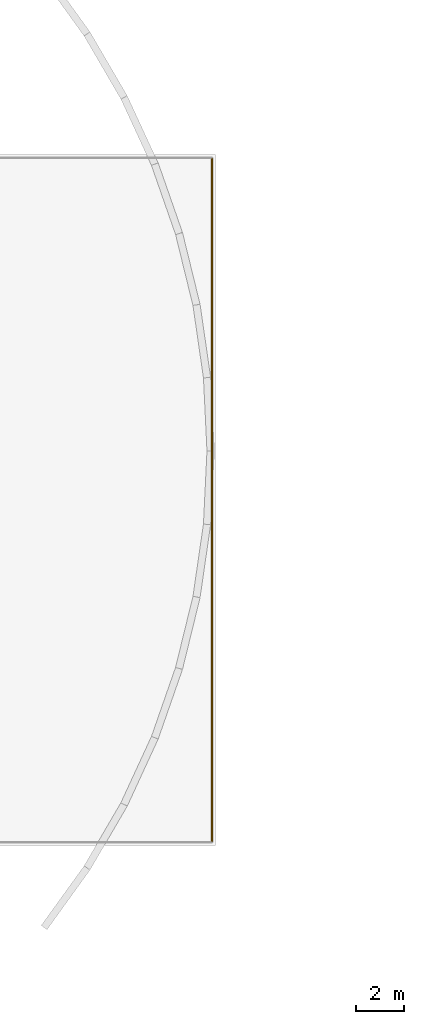
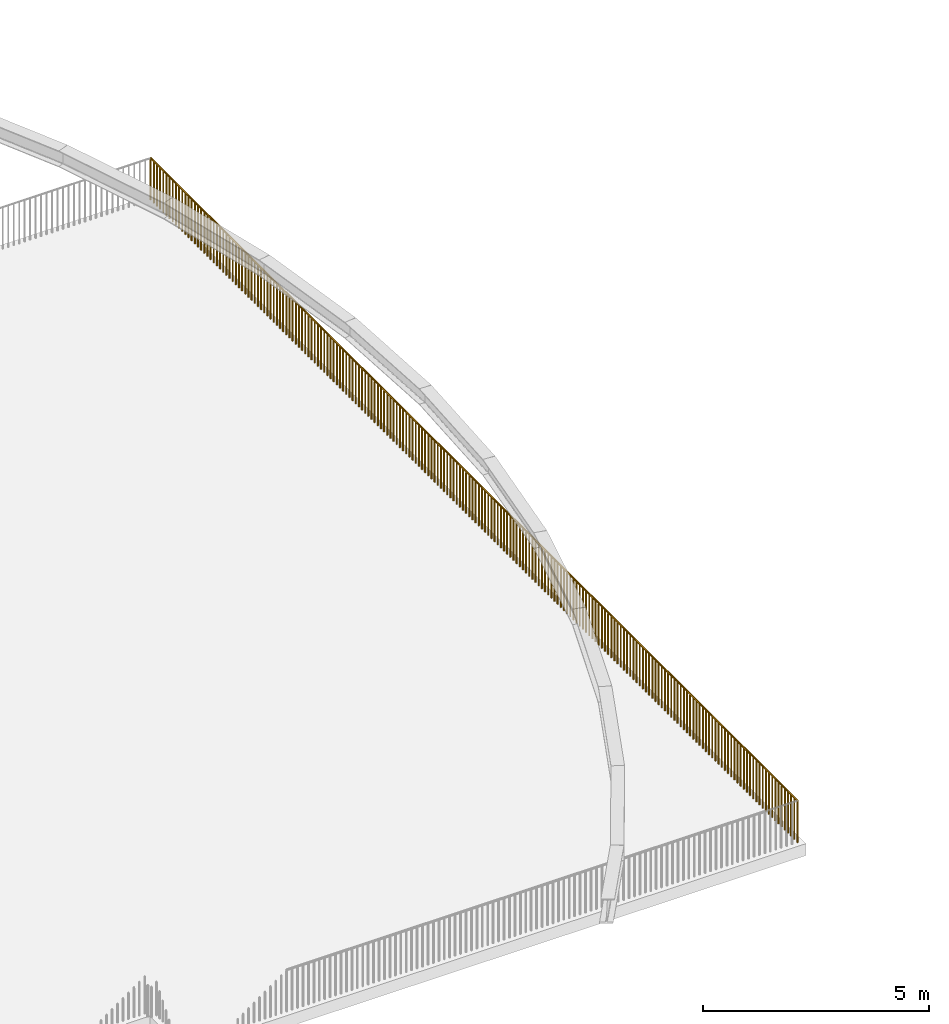
# One storey, part 91 of 92: 1 railing.
"""IFC4 building model written with IfcOpenShell, lengths in metres."""

import ifcopenshell
import ifcopenshell.guid

model = None  # the IFC model being written
_history = None  # IfcOwnerHistory: only IFC2X3 demands one
_inside = {}  # id of a spatial element -> (the spatial element, [elements in it])
_under = {}  # id of a project, library or spatial element -> (it, [spatial elements below it])
_declared = {}  # id of a project -> (the project, [libraries it declares])
_typed = {}  # id of a type object -> (the type object, [elements of that type])
_made_of = {}  # id of a material, layer set ... -> (it, [elements and type objects made of it])


def new_model(schema):
    """Start an empty IFC model of exactly this schema.

    Asked for "IFC4X3", IfcOpenShell would pick the latest addendum, in which some entities
    have other attributes; the version numbers below select the first issue.
    IFC2X3 requires an IfcOwnerHistory on every rooted entity: one is made here for all.
    """
    global model, _history
    if schema == "IFC4X3":
        model = ifcopenshell.file(schema_version=(4, 3, 0, 0))
    else:
        model = ifcopenshell.file(schema=schema)
    _inside.clear()
    _under.clear()
    _declared.clear()
    _typed.clear()
    _made_of.clear()
    _history = None
    if model.schema == "IFC2X3":
        org = make("IfcOrganization", Name="unknown")
        user = make(
            "IfcPersonAndOrganization",
            ThePerson=make("IfcPerson", FamilyName="unknown"),
            TheOrganization=org,
        )
        app = make(
            "IfcApplication",
            ApplicationDeveloper=org,
            Version="unknown",
            ApplicationFullName="unknown",
            ApplicationIdentifier="unknown",
        )
        _history = make(
            "IfcOwnerHistory",
            OwningUser=user,
            OwningApplication=app,
            ChangeAction="ADDED",
            CreationDate=0,
        )
    return model


def make(cls, **values):
    """One entity of the class cls with the attributes given. An attribute that is None is left unset."""
    return model.create_entity(
        cls, **{name: value for name, value in values.items() if value is not None}
    )


def rooted(cls, **values):
    """An entity with a GlobalId (a new one), such as an element, a storey or a relation."""
    return make(cls, GlobalId=ifcopenshell.guid.new(), OwnerHistory=_history, **values)


def si_unit(unit_type, name, prefix=None):
    """IfcSIUnit, for example si_unit("LENGTHUNIT", "METRE", prefix="MILLI")."""
    return make("IfcSIUnit", UnitType=unit_type, Prefix=prefix, Name=name)


def assignment(units):
    """IfcUnitAssignment: the units of a project."""
    return None if units is None else make("IfcUnitAssignment", Units=units)


def point(xyz):
    """IfcCartesianPoint."""
    return None if xyz is None else make("IfcCartesianPoint", Coordinates=xyz)


def direction(xyz):
    """IfcDirection."""
    return None if xyz is None else make("IfcDirection", DirectionRatios=xyz)


def frame(location, z_axis=None, x_axis=None):
    """IfcAxis2Placement3D, a coordinate frame: its origin and axes. An axis left out is left unset."""
    return make(
        "IfcAxis2Placement3D",
        Location=point(location),
        Axis=direction(z_axis),
        RefDirection=direction(x_axis),
    )


def frame_2d(location, x_axis=None):
    """IfcAxis2Placement2D, a coordinate frame in the plane: its origin and x axis."""
    return make(
        "IfcAxis2Placement2D", Location=point(location), RefDirection=direction(x_axis)
    )


def origin():
    """The frame at (0, 0, 0) with its axes left unset."""
    return frame((0.0, 0.0, 0.0))


def origin_2d():
    """The frame at (0, 0) in the plane with its x axis left unset."""
    return frame_2d((0.0, 0.0))


def place(relative_to, where):
    """IfcLocalPlacement: puts the frame where relative to a parent placement (None: the world)."""
    return make(
        "IfcLocalPlacement", PlacementRelTo=relative_to, RelativePlacement=where
    )


def context(
    kind, dimensions, precision=None, world=None, true_north=None, identifier=None
):
    """IfcGeometricRepresentationContext, for example the 3D "Model" context."""
    return make(
        "IfcGeometricRepresentationContext",
        ContextIdentifier=identifier,
        ContextType=kind,
        CoordinateSpaceDimension=dimensions,
        Precision=precision,
        WorldCoordinateSystem=world,
        TrueNorth=true_north,
    )


def subcontext(parent, identifier, kind, view, scale=None):
    """IfcGeometricRepresentationSubContext, for example "Body" below "Model"."""
    return make(
        "IfcGeometricRepresentationSubContext",
        ContextIdentifier=identifier,
        ContextType=kind,
        ParentContext=parent,
        TargetScale=scale,
        TargetView=view,
    )


def project(units=None, contexts=None):
    """IfcProject with its units and contexts."""
    return rooted(
        "IfcProject",
        Name="project",
        RepresentationContexts=contexts,
        UnitsInContext=assignment(units),
    )


def spatial(cls, under=None, at=None, **own):
    """A site, building, storey or space (cls), placed at a placement, below another one or the project."""
    s = rooted(cls, ObjectPlacement=at, **own)
    if under is not None:
        _under.setdefault(under.id(), (under, []))[1].append(s)
    return s


def profile(cls, at=None, kind="AREA", **sizes):
    """A parametric profile (cls). Its sizes go by their IFC names, for example OverallWidth=200.0."""
    return make(cls, ProfileType=kind, Position=at, **sizes)


def circle(**sizes):
    """IfcCircleProfileDef."""
    return profile("IfcCircleProfileDef", **sizes)


def extrude(swept, where, along, depth):
    """IfcExtrudedAreaSolid: the profile swept, set in the frame where, extruded along a direction by depth."""
    return make(
        "IfcExtrudedAreaSolid",
        SweptArea=swept,
        Position=where,
        ExtrudedDirection=direction(along),
        Depth=depth,
    )


def shape(context_of_items, identifier, shape_type, items):
    """IfcShapeRepresentation: the items that make up one representation, for example the "Body"."""
    return make(
        "IfcShapeRepresentation",
        ContextOfItems=context_of_items,
        RepresentationIdentifier=identifier,
        RepresentationType=shape_type,
        Items=items,
    )


def material(Name=None, Category=None):
    """IfcMaterial."""
    return make("IfcMaterial", Name=Name, Category=Category)


def made_of(thing, what):
    """Note that an element or type object is made of a material, layer set ...; save() writes the relation."""
    if what is not None:
        _made_of.setdefault(what.id(), (what, []))[1].append(thing)
    return thing


def type_object(cls, material=None, **own):
    """A type object (cls), such as IfcWallType, which elements share."""
    return made_of(rooted(cls, **own), material)


def element(
    cls,
    number,
    at=None,
    inside=None,
    cuts=None,
    type_object=None,
    material=None,
    context=None,
    identifier="Body",
    shape_type=None,
    held_by="IfcProductDefinitionShape",
    body=None,
    shapes=None,
    **own,
):
    """One element of the class cls, such as IfcWall. Its Tag is "e" and its number.

    at: its placement. inside: the storey or other place that contains it. cuts: it is an
    opening in that element (IfcRelVoidsElement). A single representation is given by context,
    identifier, shape_type and body (its items); several are given by shapes. held_by: the class
    of the entity that holds the representations. save() writes the other relations.
    """
    e = rooted(cls, Tag="e%d" % number, ObjectPlacement=at, **own)
    if body is not None:
        shapes = [shape(context, identifier, shape_type, body)]
    if shapes is not None:
        e.Representation = make(held_by, Representations=shapes)
    if inside is not None:
        _inside.setdefault(inside.id(), (inside, []))[1].append(e)
    if cuts is not None:
        rooted(
            "IfcRelVoidsElement", RelatingBuildingElement=cuts, RelatedOpeningElement=e
        )
    if type_object is not None:
        _typed.setdefault(type_object.id(), (type_object, []))[1].append(e)
    return made_of(e, material)


def aggregate(whole, parts):
    """IfcRelAggregates: a whole, such as a stair, and the parts it consists of."""
    return rooted("IfcRelAggregates", RelatingObject=whole, RelatedObjects=parts)


def save(model, path):
    """Write the relations noted so far, then the file.

    IfcRelAggregates (storeys below a building ...), IfcRelContainedInSpatialStructure (elements
    in a storey), IfcRelDefinesByType, IfcRelAssociatesMaterial and IfcRelDeclares: one each for
    every whole, place, type object, material and project.
    """
    for whole, parts in _under.values():
        aggregate(whole, parts)
    for where, things in _inside.values():
        rooted(
            "IfcRelContainedInSpatialStructure",
            RelatedElements=things,
            RelatingStructure=where,
        )
    for kind, things in _typed.values():
        rooted("IfcRelDefinesByType", RelatedObjects=things, RelatingType=kind)
    for what, things in _made_of.values():
        rooted("IfcRelAssociatesMaterial", RelatedObjects=things, RelatingMaterial=what)
    for by, libraries in _declared.values():
        rooted("IfcRelDeclares", RelatingContext=by, RelatedDefinitions=libraries)
    model.write(path)


model = new_model("IFC4")

# Units and contexts
model_context = context("Model", 3, precision=1e-05, world=origin(), true_north=direction((0.0, 1.0)))
body_context = subcontext(model_context, "Body", "Model", "MODEL_VIEW")
ifc_project = project(units=[si_unit("LENGTHUNIT", "METRE"), si_unit("AREAUNIT", "SQUARE_METRE"), si_unit("VOLUMEUNIT", "CUBIC_METRE"), si_unit("PLANEANGLEUNIT", "RADIAN"), si_unit("MASSUNIT", "GRAM", prefix="KILO")], contexts=[model_context])

# Site, building, storey
site_placement = place(None, origin())
site = spatial("IfcSite", under=ifc_project, at=site_placement, CompositionType="ELEMENT")
building_placement = place(site_placement, origin())
building = spatial("IfcBuilding", under=site, at=building_placement, Name="Vanh Quang Courtyard School", CompositionType="ELEMENT")
storey_placement = place(building_placement, frame((0.0, 0.0, 7.800048828125)))
storey = spatial("IfcBuildingStorey", under=building, at=storey_placement, Name="L02", CompositionType="ELEMENT", Elevation=7.800048828125)

# Railing
ifc_material = material(Name="Galvanised painted steel EN 10025-2 S355J2", Category="steel")
railing_type = type_object("IfcRailingType", Name="RAIL-GUARD-1150", PredefinedType="BALUSTRADE", material=ifc_material)
railing_placement = place(storey_placement, frame((144.06005859375, 68.260009765625, 0.0)))
element("IfcRailing", 1, at=railing_placement, inside=storey, type_object=railing_type, Name="Railing GR-01 (L02)", PredefinedType="BALUSTRADE", context=body_context, shape_type="SweptSolid", body=[
    extrude(circle(Radius=0.02392578125, at=origin_2d()), frame((0.0, 0.0, 1.1259765625), z_axis=(0.0, -1.0, 0.0), x_axis=(1.0, 0.0, 0.0)), (0.0, 0.0, 1.0), 28.6201171875),
    extrude(circle(Radius=0.02099609375, at=origin_2d()), origin(), (0.0, 0.0, 1.0), 1.101806640625),
    extrude(circle(Radius=0.02099609375, at=origin_2d()), frame((0.0, -0.1396484375, 0.0)), (0.0, 0.0, 1.0), 1.101806640625),
    extrude(circle(Radius=0.02099609375, at=origin_2d()), frame((0.0, -0.279296875, 0.0)), (0.0, 0.0, 1.0), 1.101806640625),
    extrude(circle(Radius=0.02099609375, at=origin_2d()), frame((0.0, -0.4189453125, 0.0)), (0.0, 0.0, 1.0), 1.101806640625),
    extrude(circle(Radius=0.02099609375, at=origin_2d()), frame((0.0, -0.558349609375, 0.0)), (0.0, 0.0, 1.0), 1.101806640625),
    extrude(circle(Radius=0.02099609375, at=origin_2d()), frame((0.0, -0.697998046875, 0.0)), (0.0, 0.0, 1.0), 1.101806640625),
    extrude(circle(Radius=0.02099609375, at=origin_2d()), frame((0.0, -0.837646484375, 0.0)), (0.0, 0.0, 1.0), 1.101806640625),
    extrude(circle(Radius=0.02099609375, at=origin_2d()), frame((0.0, -0.977294921875, 0.0)), (0.0, 0.0, 1.0), 1.101806640625),
    extrude(circle(Radius=0.02099609375, at=origin_2d()), frame((0.0, -1.116943359375, 0.0)), (0.0, 0.0, 1.0), 1.101806640625),
    extrude(circle(Radius=0.02099609375, at=origin_2d()), frame((0.0, -1.256591796875, 0.0)), (0.0, 0.0, 1.0), 1.101806640625),
    extrude(circle(Radius=0.02099609375, at=origin_2d()), frame((0.0, -1.39599609375, 0.0)), (0.0, 0.0, 1.0), 1.101806640625),
    extrude(circle(Radius=0.02099609375, at=origin_2d()), frame((0.0, -1.53564453125, 0.0)), (0.0, 0.0, 1.0), 1.101806640625),
    extrude(circle(Radius=0.02099609375, at=origin_2d()), frame((0.0, -1.67529296875, 0.0)), (0.0, 0.0, 1.0), 1.101806640625),
    extrude(circle(Radius=0.02099609375, at=origin_2d()), frame((0.0, -1.81494140625, 0.0)), (0.0, 0.0, 1.0), 1.101806640625),
    extrude(circle(Radius=0.02099609375, at=origin_2d()), frame((0.0, -1.95458984375, 0.0)), (0.0, 0.0, 1.0), 1.101806640625),
    extrude(circle(Radius=0.02099609375, at=origin_2d()), frame((0.0, -2.09423828125, 0.0)), (0.0, 0.0, 1.0), 1.101806640625),
    extrude(circle(Radius=0.02099609375, at=origin_2d()), frame((0.0, -2.23388671875, 0.0)), (0.0, 0.0, 1.0), 1.101806640625),
    extrude(circle(Radius=0.02099609375, at=origin_2d()), frame((0.0, -2.373291015625, 0.0)), (0.0, 0.0, 1.0), 1.101806640625),
    extrude(circle(Radius=0.02099609375, at=origin_2d()), frame((0.0, -2.512939453125, 0.0)), (0.0, 0.0, 1.0), 1.101806640625),
    extrude(circle(Radius=0.02099609375, at=origin_2d()), frame((0.0, -2.652587890625, 0.0)), (0.0, 0.0, 1.0), 1.101806640625),
    extrude(circle(Radius=0.02099609375, at=origin_2d()), frame((0.0, -2.792236328125, 0.0)), (0.0, 0.0, 1.0), 1.101806640625),
    extrude(circle(Radius=0.02099609375, at=origin_2d()), frame((0.0, -2.931884765625, 0.0)), (0.0, 0.0, 1.0), 1.101806640625),
    extrude(circle(Radius=0.02099609375, at=origin_2d()), frame((0.0, -3.071533203125, 0.0)), (0.0, 0.0, 1.0), 1.101806640625),
    extrude(circle(Radius=0.02099609375, at=origin_2d()), frame((0.0, -3.2109375, 0.0)), (0.0, 0.0, 1.0), 1.101806640625),
    extrude(circle(Radius=0.02099609375, at=origin_2d()), frame((0.0, -3.3505859375, 0.0)), (0.0, 0.0, 1.0), 1.101806640625),
    extrude(circle(Radius=0.02099609375, at=origin_2d()), frame((0.0, -3.490234375, 0.0)), (0.0, 0.0, 1.0), 1.101806640625),
    extrude(circle(Radius=0.02099609375, at=origin_2d()), frame((0.0, -3.6298828125, 0.0)), (0.0, 0.0, 1.0), 1.101806640625),
    extrude(circle(Radius=0.02099609375, at=origin_2d()), frame((0.0, -3.76953125, 0.0)), (0.0, 0.0, 1.0), 1.101806640625),
    extrude(circle(Radius=0.02099609375, at=origin_2d()), frame((0.0, -3.9091796875, 0.0)), (0.0, 0.0, 1.0), 1.101806640625),
    extrude(circle(Radius=0.02099609375, at=origin_2d()), frame((0.0, -4.048583984375, 0.0)), (0.0, 0.0, 1.0), 1.101806640625),
    extrude(circle(Radius=0.02099609375, at=origin_2d()), frame((0.0, -4.188232421875, 0.0)), (0.0, 0.0, 1.0), 1.101806640625),
    extrude(circle(Radius=0.02099609375, at=origin_2d()), frame((0.0, -4.327880859375, 0.0)), (0.0, 0.0, 1.0), 1.101806640625),
    extrude(circle(Radius=0.02099609375, at=origin_2d()), frame((0.0, -4.467529296875, 0.0)), (0.0, 0.0, 1.0), 1.101806640625),
    extrude(circle(Radius=0.02099609375, at=origin_2d()), frame((0.0, -4.607177734375, 0.0)), (0.0, 0.0, 1.0), 1.101806640625),
    extrude(circle(Radius=0.02099609375, at=origin_2d()), frame((0.0, -4.746826171875, 0.0)), (0.0, 0.0, 1.0), 1.101806640625),
    extrude(circle(Radius=0.02099609375, at=origin_2d()), frame((0.0, -4.886474609375, 0.0)), (0.0, 0.0, 1.0), 1.101806640625),
    extrude(circle(Radius=0.02099609375, at=origin_2d()), frame((0.0, -5.02587890625, 0.0)), (0.0, 0.0, 1.0), 1.101806640625),
    extrude(circle(Radius=0.02099609375, at=origin_2d()), frame((0.0, -5.16552734375, 0.0)), (0.0, 0.0, 1.0), 1.101806640625),
    extrude(circle(Radius=0.02099609375, at=origin_2d()), frame((0.0, -5.30517578125, 0.0)), (0.0, 0.0, 1.0), 1.101806640625),
    extrude(circle(Radius=0.02099609375, at=origin_2d()), frame((0.0, -5.44482421875, 0.0)), (0.0, 0.0, 1.0), 1.101806640625),
    extrude(circle(Radius=0.02099609375, at=origin_2d()), frame((0.0, -5.58447265625, 0.0)), (0.0, 0.0, 1.0), 1.101806640625),
    extrude(circle(Radius=0.02099609375, at=origin_2d()), frame((0.0, -5.72412109375, 0.0)), (0.0, 0.0, 1.0), 1.101806640625),
    extrude(circle(Radius=0.02099609375, at=origin_2d()), frame((0.0, -5.863525390625, 0.0)), (0.0, 0.0, 1.0), 1.101806640625),
    extrude(circle(Radius=0.02099609375, at=origin_2d()), frame((0.0, -6.003173828125, 0.0)), (0.0, 0.0, 1.0), 1.101806640625),
    extrude(circle(Radius=0.02099609375, at=origin_2d()), frame((0.0, -6.142822265625, 0.0)), (0.0, 0.0, 1.0), 1.101806640625),
    extrude(circle(Radius=0.02099609375, at=origin_2d()), frame((0.0, -6.282470703125, 0.0)), (0.0, 0.0, 1.0), 1.101806640625),
    extrude(circle(Radius=0.02099609375, at=origin_2d()), frame((0.0, -6.422119140625, 0.0)), (0.0, 0.0, 1.0), 1.101806640625),
    extrude(circle(Radius=0.02099609375, at=origin_2d()), frame((0.0, -6.561767578125, 0.0)), (0.0, 0.0, 1.0), 1.101806640625),
    extrude(circle(Radius=0.02099609375, at=origin_2d()), frame((0.0, -6.701416015625, 0.0)), (0.0, 0.0, 1.0), 1.101806640625),
    extrude(circle(Radius=0.02099609375, at=origin_2d()), frame((0.0, -6.8408203125, 0.0)), (0.0, 0.0, 1.0), 1.101806640625),
    extrude(circle(Radius=0.02099609375, at=origin_2d()), frame((0.0, -6.98046875, 0.0)), (0.0, 0.0, 1.0), 1.101806640625),
    extrude(circle(Radius=0.02099609375, at=origin_2d()), frame((0.0, -7.1201171875, 0.0)), (0.0, 0.0, 1.0), 1.101806640625),
    extrude(circle(Radius=0.02099609375, at=origin_2d()), frame((0.0, -7.259765625, 0.0)), (0.0, 0.0, 1.0), 1.101806640625),
    extrude(circle(Radius=0.02099609375, at=origin_2d()), frame((0.0, -7.3994140625, 0.0)), (0.0, 0.0, 1.0), 1.101806640625),
    extrude(circle(Radius=0.02099609375, at=origin_2d()), frame((0.0, -7.5390625, 0.0)), (0.0, 0.0, 1.0), 1.101806640625),
    extrude(circle(Radius=0.02099609375, at=origin_2d()), frame((0.0, -7.678466796875, 0.0)), (0.0, 0.0, 1.0), 1.101806640625),
    extrude(circle(Radius=0.02099609375, at=origin_2d()), frame((0.0, -7.818115234375, 0.0)), (0.0, 0.0, 1.0), 1.101806640625),
    extrude(circle(Radius=0.02099609375, at=origin_2d()), frame((0.0, -7.957763671875, 0.0)), (0.0, 0.0, 1.0), 1.101806640625),
    extrude(circle(Radius=0.02099609375, at=origin_2d()), frame((0.0, -8.097412109375, 0.0)), (0.0, 0.0, 1.0), 1.101806640625),
    extrude(circle(Radius=0.02099609375, at=origin_2d()), frame((0.0, -8.237060546875, 0.0)), (0.0, 0.0, 1.0), 1.101806640625),
    extrude(circle(Radius=0.02099609375, at=origin_2d()), frame((0.0, -8.376708984375, 0.0)), (0.0, 0.0, 1.0), 1.101806640625),
    extrude(circle(Radius=0.02099609375, at=origin_2d()), frame((0.0, -8.51611328125, 0.0)), (0.0, 0.0, 1.0), 1.101806640625),
    extrude(circle(Radius=0.02099609375, at=origin_2d()), frame((0.0, -8.65576171875, 0.0)), (0.0, 0.0, 1.0), 1.101806640625),
    extrude(circle(Radius=0.02099609375, at=origin_2d()), frame((0.0, -8.79541015625, 0.0)), (0.0, 0.0, 1.0), 1.101806640625),
    extrude(circle(Radius=0.02099609375, at=origin_2d()), frame((0.0, -8.93505859375, 0.0)), (0.0, 0.0, 1.0), 1.101806640625),
    extrude(circle(Radius=0.02099609375, at=origin_2d()), frame((0.0, -9.07470703125, 0.0)), (0.0, 0.0, 1.0), 1.101806640625),
    extrude(circle(Radius=0.02099609375, at=origin_2d()), frame((0.0, -9.21435546875, 0.0)), (0.0, 0.0, 1.0), 1.101806640625),
    extrude(circle(Radius=0.02099609375, at=origin_2d()), frame((0.0, -9.35400390625, 0.0)), (0.0, 0.0, 1.0), 1.101806640625),
    extrude(circle(Radius=0.02099609375, at=origin_2d()), frame((0.0, -9.493408203125, 0.0)), (0.0, 0.0, 1.0), 1.101806640625),
    extrude(circle(Radius=0.02099609375, at=origin_2d()), frame((0.0, -9.633056640625, 0.0)), (0.0, 0.0, 1.0), 1.101806640625),
    extrude(circle(Radius=0.02099609375, at=origin_2d()), frame((0.0, -9.772705078125, 0.0)), (0.0, 0.0, 1.0), 1.101806640625),
    extrude(circle(Radius=0.02099609375, at=origin_2d()), frame((0.0, -9.912353515625, 0.0)), (0.0, 0.0, 1.0), 1.101806640625),
    extrude(circle(Radius=0.02099609375, at=origin_2d()), frame((0.0, -10.052001953125, 0.0)), (0.0, 0.0, 1.0), 1.101806640625),
    extrude(circle(Radius=0.02099609375, at=origin_2d()), frame((0.0, -10.191650390625, 0.0)), (0.0, 0.0, 1.0), 1.101806640625),
    extrude(circle(Radius=0.02099609375, at=origin_2d()), frame((0.0, -10.3310546875, 0.0)), (0.0, 0.0, 1.0), 1.101806640625),
    extrude(circle(Radius=0.02099609375, at=origin_2d()), frame((0.0, -10.470703125, 0.0)), (0.0, 0.0, 1.0), 1.101806640625),
    extrude(circle(Radius=0.02099609375, at=origin_2d()), frame((0.0, -10.6103515625, 0.0)), (0.0, 0.0, 1.0), 1.101806640625),
    extrude(circle(Radius=0.02099609375, at=origin_2d()), frame((0.0, -10.75, 0.0)), (0.0, 0.0, 1.0), 1.101806640625),
    extrude(circle(Radius=0.02099609375, at=origin_2d()), frame((0.0, -10.8896484375, 0.0)), (0.0, 0.0, 1.0), 1.101806640625),
    extrude(circle(Radius=0.02099609375, at=origin_2d()), frame((0.0, -11.029296875, 0.0)), (0.0, 0.0, 1.0), 1.101806640625),
    extrude(circle(Radius=0.02099609375, at=origin_2d()), frame((0.0, -11.1689453125, 0.0)), (0.0, 0.0, 1.0), 1.101806640625),
    extrude(circle(Radius=0.02099609375, at=origin_2d()), frame((0.0, -11.308349609375, 0.0)), (0.0, 0.0, 1.0), 1.101806640625),
    extrude(circle(Radius=0.02099609375, at=origin_2d()), frame((0.0, -11.447998046875, 0.0)), (0.0, 0.0, 1.0), 1.101806640625),
    extrude(circle(Radius=0.02099609375, at=origin_2d()), frame((0.0, -11.587646484375, 0.0)), (0.0, 0.0, 1.0), 1.101806640625),
    extrude(circle(Radius=0.02099609375, at=origin_2d()), frame((0.0, -11.727294921875, 0.0)), (0.0, 0.0, 1.0), 1.101806640625),
    extrude(circle(Radius=0.02099609375, at=origin_2d()), frame((0.0, -11.866943359375, 0.0)), (0.0, 0.0, 1.0), 1.101806640625),
    extrude(circle(Radius=0.02099609375, at=origin_2d()), frame((0.0, -12.006591796875, 0.0)), (0.0, 0.0, 1.0), 1.101806640625),
    extrude(circle(Radius=0.02099609375, at=origin_2d()), frame((0.0, -12.14599609375, 0.0)), (0.0, 0.0, 1.0), 1.101806640625),
    extrude(circle(Radius=0.02099609375, at=origin_2d()), frame((0.0, -12.28564453125, 0.0)), (0.0, 0.0, 1.0), 1.101806640625),
    extrude(circle(Radius=0.02099609375, at=origin_2d()), frame((0.0, -12.42529296875, 0.0)), (0.0, 0.0, 1.0), 1.101806640625),
    extrude(circle(Radius=0.02099609375, at=origin_2d()), frame((0.0, -12.56494140625, 0.0)), (0.0, 0.0, 1.0), 1.101806640625),
    extrude(circle(Radius=0.02099609375, at=origin_2d()), frame((0.0, -12.70458984375, 0.0)), (0.0, 0.0, 1.0), 1.101806640625),
    extrude(circle(Radius=0.02099609375, at=origin_2d()), frame((0.0, -12.84423828125, 0.0)), (0.0, 0.0, 1.0), 1.101806640625),
    extrude(circle(Radius=0.02099609375, at=origin_2d()), frame((0.0, -12.983642578125, 0.0)), (0.0, 0.0, 1.0), 1.101806640625),
    extrude(circle(Radius=0.02099609375, at=origin_2d()), frame((0.0, -13.123291015625, 0.0)), (0.0, 0.0, 1.0), 1.101806640625),
    extrude(circle(Radius=0.02099609375, at=origin_2d()), frame((0.0, -13.262939453125, 0.0)), (0.0, 0.0, 1.0), 1.101806640625),
    extrude(circle(Radius=0.02099609375, at=origin_2d()), frame((0.0, -13.402587890625, 0.0)), (0.0, 0.0, 1.0), 1.101806640625),
    extrude(circle(Radius=0.02099609375, at=origin_2d()), frame((0.0, -13.542236328125, 0.0)), (0.0, 0.0, 1.0), 1.101806640625),
    extrude(circle(Radius=0.02099609375, at=origin_2d()), frame((0.0, -13.681884765625, 0.0)), (0.0, 0.0, 1.0), 1.101806640625),
    extrude(circle(Radius=0.02099609375, at=origin_2d()), frame((0.0, -13.821533203125, 0.0)), (0.0, 0.0, 1.0), 1.101806640625),
    extrude(circle(Radius=0.02099609375, at=origin_2d()), frame((0.0, -13.9609375, 0.0)), (0.0, 0.0, 1.0), 1.101806640625),
    extrude(circle(Radius=0.02099609375, at=origin_2d()), frame((0.0, -14.1005859375, 0.0)), (0.0, 0.0, 1.0), 1.101806640625),
    extrude(circle(Radius=0.02099609375, at=origin_2d()), frame((0.0, -14.240234375, 0.0)), (0.0, 0.0, 1.0), 1.101806640625),
    extrude(circle(Radius=0.02099609375, at=origin_2d()), frame((0.0, -14.3798828125, 0.0)), (0.0, 0.0, 1.0), 1.101806640625),
    extrude(circle(Radius=0.02099609375, at=origin_2d()), frame((0.0, -14.51953125, 0.0)), (0.0, 0.0, 1.0), 1.101806640625),
    extrude(circle(Radius=0.02099609375, at=origin_2d()), frame((0.0, -14.6591796875, 0.0)), (0.0, 0.0, 1.0), 1.101806640625),
    extrude(circle(Radius=0.02099609375, at=origin_2d()), frame((0.0, -14.798583984375, 0.0)), (0.0, 0.0, 1.0), 1.101806640625),
    extrude(circle(Radius=0.02099609375, at=origin_2d()), frame((0.0, -14.938232421875, 0.0)), (0.0, 0.0, 1.0), 1.101806640625),
    extrude(circle(Radius=0.02099609375, at=origin_2d()), frame((0.0, -15.077880859375, 0.0)), (0.0, 0.0, 1.0), 1.101806640625),
    extrude(circle(Radius=0.02099609375, at=origin_2d()), frame((0.0, -15.217529296875, 0.0)), (0.0, 0.0, 1.0), 1.101806640625),
    extrude(circle(Radius=0.02099609375, at=origin_2d()), frame((0.0, -15.357177734375, 0.0)), (0.0, 0.0, 1.0), 1.101806640625),
    extrude(circle(Radius=0.02099609375, at=origin_2d()), frame((0.0, -15.496826171875, 0.0)), (0.0, 0.0, 1.0), 1.101806640625),
    extrude(circle(Radius=0.02099609375, at=origin_2d()), frame((0.0, -15.636474609375, 0.0)), (0.0, 0.0, 1.0), 1.101806640625),
    extrude(circle(Radius=0.02099609375, at=origin_2d()), frame((0.0, -15.77587890625, 0.0)), (0.0, 0.0, 1.0), 1.101806640625),
    extrude(circle(Radius=0.02099609375, at=origin_2d()), frame((0.0, -15.91552734375, 0.0)), (0.0, 0.0, 1.0), 1.101806640625),
    extrude(circle(Radius=0.02099609375, at=origin_2d()), frame((0.0, -16.05517578125, 0.0)), (0.0, 0.0, 1.0), 1.101806640625),
    extrude(circle(Radius=0.02099609375, at=origin_2d()), frame((0.0, -16.19482421875, 0.0)), (0.0, 0.0, 1.0), 1.101806640625),
    extrude(circle(Radius=0.02099609375, at=origin_2d()), frame((0.0, -16.33447265625, 0.0)), (0.0, 0.0, 1.0), 1.101806640625),
    extrude(circle(Radius=0.02099609375, at=origin_2d()), frame((0.0, -16.47412109375, 0.0)), (0.0, 0.0, 1.0), 1.101806640625),
    extrude(circle(Radius=0.02099609375, at=origin_2d()), frame((0.0, -16.613525390625, 0.0)), (0.0, 0.0, 1.0), 1.101806640625),
    extrude(circle(Radius=0.02099609375, at=origin_2d()), frame((0.0, -16.753173828125, 0.0)), (0.0, 0.0, 1.0), 1.101806640625),
    extrude(circle(Radius=0.02099609375, at=origin_2d()), frame((0.0, -16.892822265625, 0.0)), (0.0, 0.0, 1.0), 1.101806640625),
    extrude(circle(Radius=0.02099609375, at=origin_2d()), frame((0.0, -17.032470703125, 0.0)), (0.0, 0.0, 1.0), 1.101806640625),
    extrude(circle(Radius=0.02099609375, at=origin_2d()), frame((0.0, -17.172119140625, 0.0)), (0.0, 0.0, 1.0), 1.101806640625),
    extrude(circle(Radius=0.02099609375, at=origin_2d()), frame((0.0, -17.311767578125, 0.0)), (0.0, 0.0, 1.0), 1.101806640625),
    extrude(circle(Radius=0.02099609375, at=origin_2d()), frame((0.0, -17.451171875, 0.0)), (0.0, 0.0, 1.0), 1.101806640625),
    extrude(circle(Radius=0.02099609375, at=origin_2d()), frame((0.0, -17.5908203125, 0.0)), (0.0, 0.0, 1.0), 1.101806640625),
    extrude(circle(Radius=0.02099609375, at=origin_2d()), frame((0.0, -17.73046875, 0.0)), (0.0, 0.0, 1.0), 1.101806640625),
    extrude(circle(Radius=0.02099609375, at=origin_2d()), frame((0.0, -17.8701171875, 0.0)), (0.0, 0.0, 1.0), 1.101806640625),
    extrude(circle(Radius=0.02099609375, at=origin_2d()), frame((0.0, -18.009765625, 0.0)), (0.0, 0.0, 1.0), 1.101806640625),
    extrude(circle(Radius=0.02099609375, at=origin_2d()), frame((0.0, -18.1494140625, 0.0)), (0.0, 0.0, 1.0), 1.101806640625),
    extrude(circle(Radius=0.02099609375, at=origin_2d()), frame((0.0, -18.2890625, 0.0)), (0.0, 0.0, 1.0), 1.101806640625),
    extrude(circle(Radius=0.02099609375, at=origin_2d()), frame((0.0, -18.428466796875, 0.0)), (0.0, 0.0, 1.0), 1.101806640625),
    extrude(circle(Radius=0.02099609375, at=origin_2d()), frame((0.0, -18.568115234375, 0.0)), (0.0, 0.0, 1.0), 1.101806640625),
    extrude(circle(Radius=0.02099609375, at=origin_2d()), frame((0.0, -18.707763671875, 0.0)), (0.0, 0.0, 1.0), 1.101806640625),
    extrude(circle(Radius=0.02099609375, at=origin_2d()), frame((0.0, -18.847412109375, 0.0)), (0.0, 0.0, 1.0), 1.101806640625),
    extrude(circle(Radius=0.02099609375, at=origin_2d()), frame((0.0, -18.987060546875, 0.0)), (0.0, 0.0, 1.0), 1.101806640625),
    extrude(circle(Radius=0.02099609375, at=origin_2d()), frame((0.0, -19.126708984375, 0.0)), (0.0, 0.0, 1.0), 1.101806640625),
    extrude(circle(Radius=0.02099609375, at=origin_2d()), frame((0.0, -19.26611328125, 0.0)), (0.0, 0.0, 1.0), 1.101806640625),
    extrude(circle(Radius=0.02099609375, at=origin_2d()), frame((0.0, -19.40576171875, 0.0)), (0.0, 0.0, 1.0), 1.101806640625),
    extrude(circle(Radius=0.02099609375, at=origin_2d()), frame((0.0, -19.54541015625, 0.0)), (0.0, 0.0, 1.0), 1.101806640625),
    extrude(circle(Radius=0.02099609375, at=origin_2d()), frame((0.0, -19.68505859375, 0.0)), (0.0, 0.0, 1.0), 1.101806640625),
    extrude(circle(Radius=0.02099609375, at=origin_2d()), frame((0.0, -19.82470703125, 0.0)), (0.0, 0.0, 1.0), 1.101806640625),
    extrude(circle(Radius=0.02099609375, at=origin_2d()), frame((0.0, -19.96435546875, 0.0)), (0.0, 0.0, 1.0), 1.101806640625),
    extrude(circle(Radius=0.02099609375, at=origin_2d()), frame((0.0, -20.10400390625, 0.0)), (0.0, 0.0, 1.0), 1.101806640625),
    extrude(circle(Radius=0.02099609375, at=origin_2d()), frame((0.0, -20.243408203125, 0.0)), (0.0, 0.0, 1.0), 1.101806640625),
    extrude(circle(Radius=0.02099609375, at=origin_2d()), frame((0.0, -20.383056640625, 0.0)), (0.0, 0.0, 1.0), 1.101806640625),
    extrude(circle(Radius=0.02099609375, at=origin_2d()), frame((0.0, -20.522705078125, 0.0)), (0.0, 0.0, 1.0), 1.101806640625),
    extrude(circle(Radius=0.02099609375, at=origin_2d()), frame((0.0, -20.662353515625, 0.0)), (0.0, 0.0, 1.0), 1.101806640625),
    extrude(circle(Radius=0.02099609375, at=origin_2d()), frame((0.0, -20.802001953125, 0.0)), (0.0, 0.0, 1.0), 1.101806640625),
    extrude(circle(Radius=0.02099609375, at=origin_2d()), frame((0.0, -20.941650390625, 0.0)), (0.0, 0.0, 1.0), 1.101806640625),
    extrude(circle(Radius=0.02099609375, at=origin_2d()), frame((0.0, -21.0810546875, 0.0)), (0.0, 0.0, 1.0), 1.101806640625),
    extrude(circle(Radius=0.02099609375, at=origin_2d()), frame((0.0, -21.220703125, 0.0)), (0.0, 0.0, 1.0), 1.101806640625),
    extrude(circle(Radius=0.02099609375, at=origin_2d()), frame((0.0, -21.3603515625, 0.0)), (0.0, 0.0, 1.0), 1.101806640625),
    extrude(circle(Radius=0.02099609375, at=origin_2d()), frame((0.0, -21.5, 0.0)), (0.0, 0.0, 1.0), 1.101806640625),
    extrude(circle(Radius=0.02099609375, at=origin_2d()), frame((0.0, -21.6396484375, 0.0)), (0.0, 0.0, 1.0), 1.101806640625),
    extrude(circle(Radius=0.02099609375, at=origin_2d()), frame((0.0, -21.779296875, 0.0)), (0.0, 0.0, 1.0), 1.101806640625),
    extrude(circle(Radius=0.02099609375, at=origin_2d()), frame((0.0, -21.918701171875, 0.0)), (0.0, 0.0, 1.0), 1.101806640625),
    extrude(circle(Radius=0.02099609375, at=origin_2d()), frame((0.0, -22.058349609375, 0.0)), (0.0, 0.0, 1.0), 1.101806640625),
    extrude(circle(Radius=0.02099609375, at=origin_2d()), frame((0.0, -22.197998046875, 0.0)), (0.0, 0.0, 1.0), 1.101806640625),
    extrude(circle(Radius=0.02099609375, at=origin_2d()), frame((0.0, -22.337646484375, 0.0)), (0.0, 0.0, 1.0), 1.101806640625),
    extrude(circle(Radius=0.02099609375, at=origin_2d()), frame((0.0, -22.477294921875, 0.0)), (0.0, 0.0, 1.0), 1.101806640625),
    extrude(circle(Radius=0.02099609375, at=origin_2d()), frame((0.0, -22.616943359375, 0.0)), (0.0, 0.0, 1.0), 1.101806640625),
    extrude(circle(Radius=0.02099609375, at=origin_2d()), frame((0.0, -22.756591796875, 0.0)), (0.0, 0.0, 1.0), 1.101806640625),
    extrude(circle(Radius=0.02099609375, at=origin_2d()), frame((0.0, -22.89599609375, 0.0)), (0.0, 0.0, 1.0), 1.101806640625),
    extrude(circle(Radius=0.02099609375, at=origin_2d()), frame((0.0, -23.03564453125, 0.0)), (0.0, 0.0, 1.0), 1.101806640625),
    extrude(circle(Radius=0.02099609375, at=origin_2d()), frame((0.0, -23.17529296875, 0.0)), (0.0, 0.0, 1.0), 1.101806640625),
    extrude(circle(Radius=0.02099609375, at=origin_2d()), frame((0.0, -23.31494140625, 0.0)), (0.0, 0.0, 1.0), 1.101806640625),
    extrude(circle(Radius=0.02099609375, at=origin_2d()), frame((0.0, -23.45458984375, 0.0)), (0.0, 0.0, 1.0), 1.101806640625),
    extrude(circle(Radius=0.02099609375, at=origin_2d()), frame((0.0, -23.59423828125, 0.0)), (0.0, 0.0, 1.0), 1.101806640625),
    extrude(circle(Radius=0.02099609375, at=origin_2d()), frame((0.0, -23.733642578125, 0.0)), (0.0, 0.0, 1.0), 1.101806640625),
    extrude(circle(Radius=0.02099609375, at=origin_2d()), frame((0.0, -23.873291015625, 0.0)), (0.0, 0.0, 1.0), 1.101806640625),
    extrude(circle(Radius=0.02099609375, at=origin_2d()), frame((0.0, -24.012939453125, 0.0)), (0.0, 0.0, 1.0), 1.101806640625),
    extrude(circle(Radius=0.02099609375, at=origin_2d()), frame((0.0, -24.152587890625, 0.0)), (0.0, 0.0, 1.0), 1.101806640625),
    extrude(circle(Radius=0.02099609375, at=origin_2d()), frame((0.0, -24.292236328125, 0.0)), (0.0, 0.0, 1.0), 1.101806640625),
    extrude(circle(Radius=0.02099609375, at=origin_2d()), frame((0.0, -24.431884765625, 0.0)), (0.0, 0.0, 1.0), 1.101806640625),
    extrude(circle(Radius=0.02099609375, at=origin_2d()), frame((0.0, -24.571533203125, 0.0)), (0.0, 0.0, 1.0), 1.101806640625),
    extrude(circle(Radius=0.02099609375, at=origin_2d()), frame((0.0, -24.7109375, 0.0)), (0.0, 0.0, 1.0), 1.101806640625),
    extrude(circle(Radius=0.02099609375, at=origin_2d()), frame((0.0, -24.8505859375, 0.0)), (0.0, 0.0, 1.0), 1.101806640625),
    extrude(circle(Radius=0.02099609375, at=origin_2d()), frame((0.0, -24.990234375, 0.0)), (0.0, 0.0, 1.0), 1.101806640625),
    extrude(circle(Radius=0.02099609375, at=origin_2d()), frame((0.0, -25.1298828125, 0.0)), (0.0, 0.0, 1.0), 1.101806640625),
    extrude(circle(Radius=0.02099609375, at=origin_2d()), frame((0.0, -25.26953125, 0.0)), (0.0, 0.0, 1.0), 1.101806640625),
    extrude(circle(Radius=0.02099609375, at=origin_2d()), frame((0.0, -25.4091796875, 0.0)), (0.0, 0.0, 1.0), 1.101806640625),
    extrude(circle(Radius=0.02099609375, at=origin_2d()), frame((0.0, -25.548583984375, 0.0)), (0.0, 0.0, 1.0), 1.101806640625),
    extrude(circle(Radius=0.02099609375, at=origin_2d()), frame((0.0, -25.688232421875, 0.0)), (0.0, 0.0, 1.0), 1.101806640625),
    extrude(circle(Radius=0.02099609375, at=origin_2d()), frame((0.0, -25.827880859375, 0.0)), (0.0, 0.0, 1.0), 1.101806640625),
    extrude(circle(Radius=0.02099609375, at=origin_2d()), frame((0.0, -25.967529296875, 0.0)), (0.0, 0.0, 1.0), 1.101806640625),
    extrude(circle(Radius=0.02099609375, at=origin_2d()), frame((0.0, -26.107177734375, 0.0)), (0.0, 0.0, 1.0), 1.101806640625),
    extrude(circle(Radius=0.02099609375, at=origin_2d()), frame((0.0, -26.246826171875, 0.0)), (0.0, 0.0, 1.0), 1.101806640625),
    extrude(circle(Radius=0.02099609375, at=origin_2d()), frame((0.0, -26.38623046875, 0.0)), (0.0, 0.0, 1.0), 1.101806640625),
    extrude(circle(Radius=0.02099609375, at=origin_2d()), frame((0.0, -26.52587890625, 0.0)), (0.0, 0.0, 1.0), 1.101806640625),
    extrude(circle(Radius=0.02099609375, at=origin_2d()), frame((0.0, -26.66552734375, 0.0)), (0.0, 0.0, 1.0), 1.101806640625),
    extrude(circle(Radius=0.02099609375, at=origin_2d()), frame((0.0, -26.80517578125, 0.0)), (0.0, 0.0, 1.0), 1.101806640625),
    extrude(circle(Radius=0.02099609375, at=origin_2d()), frame((0.0, -26.94482421875, 0.0)), (0.0, 0.0, 1.0), 1.101806640625),
    extrude(circle(Radius=0.02099609375, at=origin_2d()), frame((0.0, -27.08447265625, 0.0)), (0.0, 0.0, 1.0), 1.101806640625),
    extrude(circle(Radius=0.02099609375, at=origin_2d()), frame((0.0, -27.22412109375, 0.0)), (0.0, 0.0, 1.0), 1.101806640625),
    extrude(circle(Radius=0.02099609375, at=origin_2d()), frame((0.0, -27.363525390625, 0.0)), (0.0, 0.0, 1.0), 1.101806640625),
    extrude(circle(Radius=0.02099609375, at=origin_2d()), frame((0.0, -27.503173828125, 0.0)), (0.0, 0.0, 1.0), 1.101806640625),
    extrude(circle(Radius=0.02099609375, at=origin_2d()), frame((0.0, -27.642822265625, 0.0)), (0.0, 0.0, 1.0), 1.101806640625),
    extrude(circle(Radius=0.02099609375, at=origin_2d()), frame((0.0, -27.782470703125, 0.0)), (0.0, 0.0, 1.0), 1.101806640625),
    extrude(circle(Radius=0.02099609375, at=origin_2d()), frame((0.0, -27.922119140625, 0.0)), (0.0, 0.0, 1.0), 1.101806640625),
    extrude(circle(Radius=0.02099609375, at=origin_2d()), frame((0.0, -28.061767578125, 0.0)), (0.0, 0.0, 1.0), 1.101806640625),
    extrude(circle(Radius=0.02099609375, at=origin_2d()), frame((0.0, -28.201171875, 0.0)), (0.0, 0.0, 1.0), 1.101806640625),
    extrude(circle(Radius=0.02099609375, at=origin_2d()), frame((0.0, -28.3408203125, 0.0)), (0.0, 0.0, 1.0), 1.101806640625),
    extrude(circle(Radius=0.02099609375, at=origin_2d()), frame((0.0, -28.48046875, 0.0)), (0.0, 0.0, 1.0), 1.101806640625),
    extrude(circle(Radius=0.02099609375, at=origin_2d()), frame((0.0, -28.6201171875, 0.0)), (0.0, 0.0, 1.0), 1.101806640625),
])

save(model, "model.ifc")
